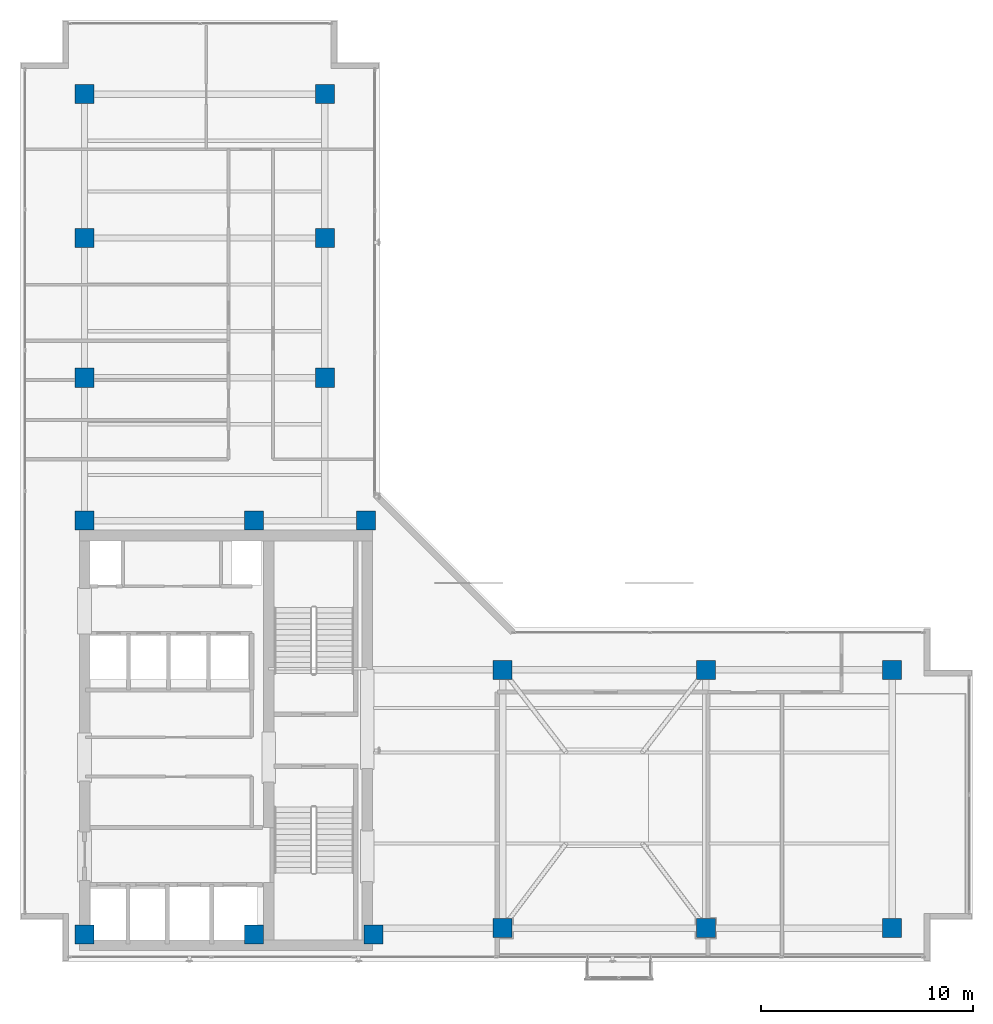
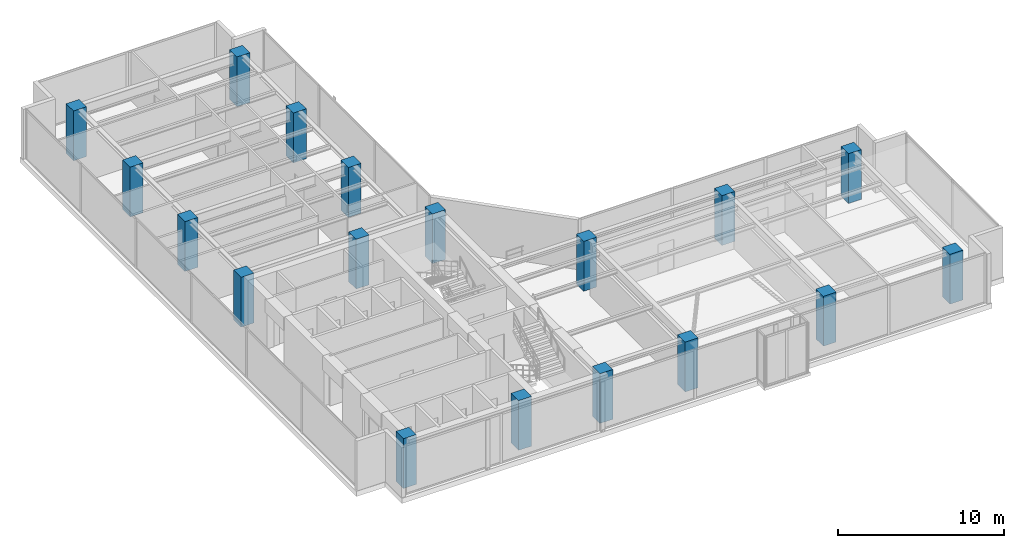
# One storey, part 1 of 31: 18 columns.
"""IFC4 building model written with IfcOpenShell, lengths in metres."""

from ifc_helpers import new_model, si_unit, direction, frame, origin, origin_2d, place, context, subcontext, project, spatial, rectangle, extrude, material, material_profile, profile_set, type_object, element, save


model = new_model("IFC4")

# Units and contexts
model_context = context("Model", 3, precision=1e-05, world=origin(), true_north=direction((0.0, 1.0)))
body_context = subcontext(model_context, "Body", "Model", "MODEL_VIEW")
ifc_project = project(units=[si_unit("LENGTHUNIT", "METRE"), si_unit("AREAUNIT", "SQUARE_METRE"), si_unit("VOLUMEUNIT", "CUBIC_METRE"), si_unit("PLANEANGLEUNIT", "RADIAN"), si_unit("MASSUNIT", "GRAM", prefix="KILO")], contexts=[model_context])

# Site, building, storey
site_placement = place(None, origin())
site = spatial("IfcSite", under=ifc_project, at=site_placement, CompositionType="ELEMENT")
building_placement = place(site_placement, origin())
building = spatial("IfcBuilding", under=site, at=building_placement, Name="Kolvaren Waterfront Exchange", CompositionType="ELEMENT")
storey_placement = place(building_placement, frame((0.0, 0.0, 344.199951171875)))
storey = spatial("IfcBuildingStorey", under=building, at=storey_placement, Name="L88", CompositionType="ELEMENT", Elevation=344.199951171875)

# Columns
ifc_material = material(Name="Concrete C50/60", Category="concrete")
ifc_material_profile = material_profile(ifc_material, rectangle(XDim=0.89990234375, YDim=0.89990234375, at=origin_2d()), Name="RC-COL-900x900")
ifc_profile_set = profile_set([ifc_material_profile], Name="Concrete C50/60")
column_type = type_object("IfcColumnType", Name="STR-COL-900-C50", PredefinedType="COLUMN", material=ifc_profile_set)
for number, where, z_axis, x_axis, name in (
    (1, (7.449951171875, 4.89990234375, 0.0), (0.0, 0.0, 1.0), (1.0, 0.0, 0.0), "L88 column MC01"),
    (2, (15.449951171875, 4.89990234375, 0.0), (0.0, 0.0, 1.0), (1.0, 0.0, 0.0), "L88 column MC02"),
    (3, (21.10009765625, 4.89990234375, 0.0), (0.0, 0.0, 1.0), (1.0, 0.0, 0.0), "L88 column MC03"),
    (4, (7.449951171875, 24.449951171875, 0.0), (0.0, 0.0, 1.0), (1.0, 0.0, 0.0), "L88 column MC04"),
    (5, (15.449951171875, 24.449951171875, 0.0), (0.0, 0.0, 1.0), (1.0, 0.0, 0.0), "L88 column MC05"),
    (6, (20.75, 24.449951171875, 0.0), (0.0, 0.0, 1.0), (1.0, 0.0, 0.0), "L88 column MC06"),
    (7, (7.449951171875, 31.199951171875, 0.0), (0.0, 0.0, 1.0), (1.0, 0.0, 0.0), "L88 column NC01"),
    (8, (7.449951171875, 37.800048828125, 0.0), (0.0, 0.0, 1.0), (1.0, 0.0, 0.0), "L88 column NC02"),
    (9, (7.449951171875, 44.60009765625, 0.0), (0.0, 0.0, 1.0), (1.0, 0.0, 0.0), "L88 column NC03"),
    (10, (18.800048828125, 31.199951171875, 0.0), (0.0, 0.0, 1.0), (1.0, 0.0, 0.0), "L88 column NC04"),
    (11, (18.800048828125, 37.800048828125, 0.0), (0.0, 0.0, 1.0), (1.0, 0.0, 0.0), "L88 column NC05"),
    (12, (18.800048828125, 44.60009765625, 0.0), (0.0, 0.0, 1.0), (1.0, 0.0, 0.0), "L88 column NC06"),
    (13, (27.199951171875, 5.199951171875, 0.0), (0.0, 0.0, 1.0), (1.0, 0.0, 0.0), "L88 column EC01"),
    (14, (36.800048828125, 5.199951171875, 0.0), (0.0, 0.0, 1.0), (1.0, 0.0, 0.0), "L88 column EC02"),
    (15, (45.60009765625, 5.199951171875, 0.0), (0.0, 0.0, 1.0), (1.0, 0.0, 0.0), "L88 column EC03"),
    (16, (27.199951171875, 17.39990234375, 0.0), (0.0, 0.0, 1.0), (1.0, 0.0, 0.0), "L88 column EC04"),
    (17, (36.800048828125, 17.39990234375, 0.0), (0.0, 0.0, 1.0), (1.0, 0.0, 0.0), "L88 column EC05"),
    (18, (45.60009765625, 17.39990234375, 0.0), (0.0, 0.0, 1.0), (1.0, 0.0, 0.0), "L88 column EC06"),
):
    element("IfcColumn", number, at=place(storey_placement, frame(where, z_axis=z_axis, x_axis=x_axis)), inside=storey, type_object=column_type, Name=name, PredefinedType="COLUMN", context=body_context, shape_type="SweptSolid", body=[
        extrude(rectangle(XDim=0.89990234375, YDim=0.89990234375, at=origin_2d()), origin(), (0.0, 0.0, 1.0), 3.66015625),
    ])

save(model, "model.ifc")
